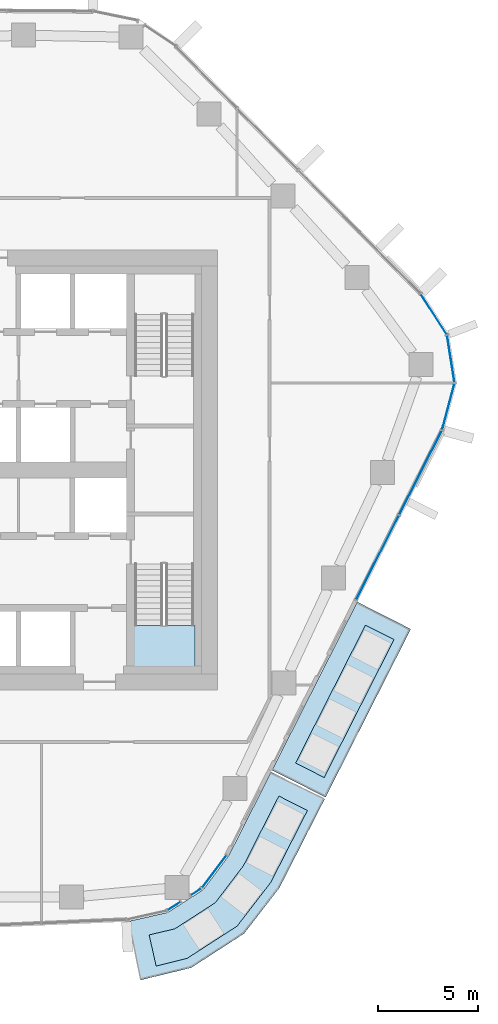
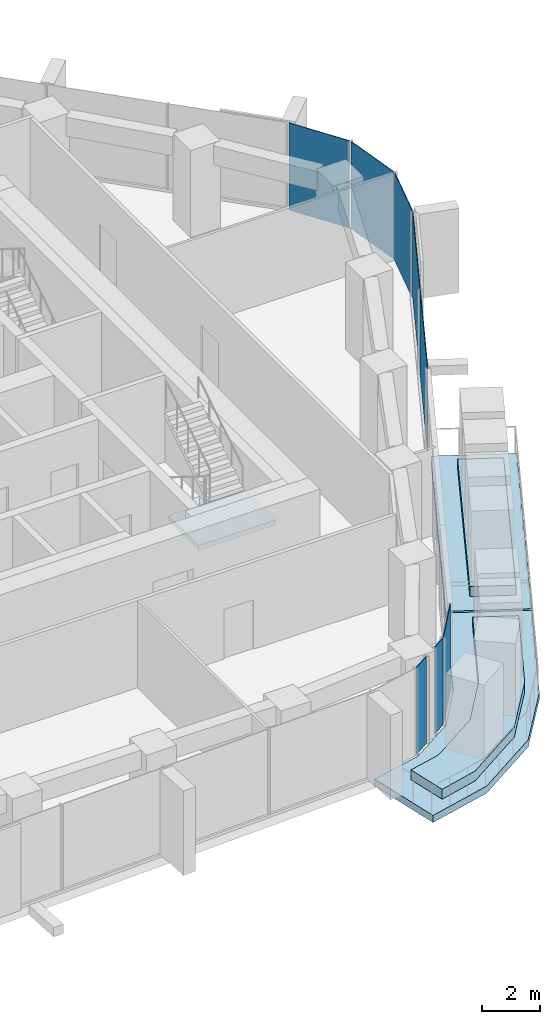
# One storey, part 9 of 17: 8 plates, 5 slabs, 5 elements without a shape of their own.
"""IFC4 building model written with IfcOpenShell, lengths in metres."""

import ifcopenshell
import ifcopenshell.guid

model = None  # the IFC model being written
_history = None  # IfcOwnerHistory: only IFC2X3 demands one
_inside = {}  # id of a spatial element -> (the spatial element, [elements in it])
_under = {}  # id of a project, library or spatial element -> (it, [spatial elements below it])
_declared = {}  # id of a project -> (the project, [libraries it declares])
_typed = {}  # id of a type object -> (the type object, [elements of that type])
_made_of = {}  # id of a material, layer set ... -> (it, [elements and type objects made of it])


def new_model(schema):
    """Start an empty IFC model of exactly this schema.

    Asked for "IFC4X3", IfcOpenShell would pick the latest addendum, in which some entities
    have other attributes; the version numbers below select the first issue.
    IFC2X3 requires an IfcOwnerHistory on every rooted entity: one is made here for all.
    """
    global model, _history
    if schema == "IFC4X3":
        model = ifcopenshell.file(schema_version=(4, 3, 0, 0))
    else:
        model = ifcopenshell.file(schema=schema)
    _inside.clear()
    _under.clear()
    _declared.clear()
    _typed.clear()
    _made_of.clear()
    _history = None
    if model.schema == "IFC2X3":
        org = make("IfcOrganization", Name="unknown")
        user = make(
            "IfcPersonAndOrganization",
            ThePerson=make("IfcPerson", FamilyName="unknown"),
            TheOrganization=org,
        )
        app = make(
            "IfcApplication",
            ApplicationDeveloper=org,
            Version="unknown",
            ApplicationFullName="unknown",
            ApplicationIdentifier="unknown",
        )
        _history = make(
            "IfcOwnerHistory",
            OwningUser=user,
            OwningApplication=app,
            ChangeAction="ADDED",
            CreationDate=0,
        )
    return model


def make(cls, **values):
    """One entity of the class cls with the attributes given. An attribute that is None is left unset."""
    return model.create_entity(
        cls, **{name: value for name, value in values.items() if value is not None}
    )


def rooted(cls, **values):
    """An entity with a GlobalId (a new one), such as an element, a storey or a relation."""
    return make(cls, GlobalId=ifcopenshell.guid.new(), OwnerHistory=_history, **values)


def si_unit(unit_type, name, prefix=None):
    """IfcSIUnit, for example si_unit("LENGTHUNIT", "METRE", prefix="MILLI")."""
    return make("IfcSIUnit", UnitType=unit_type, Prefix=prefix, Name=name)


def assignment(units):
    """IfcUnitAssignment: the units of a project."""
    return None if units is None else make("IfcUnitAssignment", Units=units)


def point(xyz):
    """IfcCartesianPoint."""
    return None if xyz is None else make("IfcCartesianPoint", Coordinates=xyz)


def direction(xyz):
    """IfcDirection."""
    return None if xyz is None else make("IfcDirection", DirectionRatios=xyz)


def frame(location, z_axis=None, x_axis=None):
    """IfcAxis2Placement3D, a coordinate frame: its origin and axes. An axis left out is left unset."""
    return make(
        "IfcAxis2Placement3D",
        Location=point(location),
        Axis=direction(z_axis),
        RefDirection=direction(x_axis),
    )


def frame_2d(location, x_axis=None):
    """IfcAxis2Placement2D, a coordinate frame in the plane: its origin and x axis."""
    return make(
        "IfcAxis2Placement2D", Location=point(location), RefDirection=direction(x_axis)
    )


def origin():
    """The frame at (0, 0, 0) with its axes left unset."""
    return frame((0.0, 0.0, 0.0))


def origin_2d():
    """The frame at (0, 0) in the plane with its x axis left unset."""
    return frame_2d((0.0, 0.0))


def place(relative_to, where):
    """IfcLocalPlacement: puts the frame where relative to a parent placement (None: the world)."""
    return make(
        "IfcLocalPlacement", PlacementRelTo=relative_to, RelativePlacement=where
    )


def context(
    kind, dimensions, precision=None, world=None, true_north=None, identifier=None
):
    """IfcGeometricRepresentationContext, for example the 3D "Model" context."""
    return make(
        "IfcGeometricRepresentationContext",
        ContextIdentifier=identifier,
        ContextType=kind,
        CoordinateSpaceDimension=dimensions,
        Precision=precision,
        WorldCoordinateSystem=world,
        TrueNorth=true_north,
    )


def subcontext(parent, identifier, kind, view, scale=None):
    """IfcGeometricRepresentationSubContext, for example "Body" below "Model"."""
    return make(
        "IfcGeometricRepresentationSubContext",
        ContextIdentifier=identifier,
        ContextType=kind,
        ParentContext=parent,
        TargetScale=scale,
        TargetView=view,
    )


def project(units=None, contexts=None):
    """IfcProject with its units and contexts."""
    return rooted(
        "IfcProject",
        Name="project",
        RepresentationContexts=contexts,
        UnitsInContext=assignment(units),
    )


def spatial(cls, under=None, at=None, **own):
    """A site, building, storey or space (cls), placed at a placement, below another one or the project."""
    s = rooted(cls, ObjectPlacement=at, **own)
    if under is not None:
        _under.setdefault(under.id(), (under, []))[1].append(s)
    return s


def polyline(points):
    """IfcPolyline through the points."""
    return make("IfcPolyline", Points=[point(p) for p in points])


def profile(cls, at=None, kind="AREA", **sizes):
    """A parametric profile (cls). Its sizes go by their IFC names, for example OverallWidth=200.0."""
    return make(cls, ProfileType=kind, Position=at, **sizes)


def rectangle(**sizes):
    """IfcRectangleProfileDef."""
    return profile("IfcRectangleProfileDef", **sizes)


def outline(outer, holes=None, kind="AREA"):
    """IfcArbitraryClosedProfileDef: a profile drawn as a closed curve; with holes, ...WithVoids."""
    if holes is None:
        return make("IfcArbitraryClosedProfileDef", ProfileType=kind, OuterCurve=outer)
    return make(
        "IfcArbitraryProfileDefWithVoids",
        ProfileType=kind,
        OuterCurve=outer,
        InnerCurves=holes,
    )


def extrude(swept, where, along, depth):
    """IfcExtrudedAreaSolid: the profile swept, set in the frame where, extruded along a direction by depth."""
    return make(
        "IfcExtrudedAreaSolid",
        SweptArea=swept,
        Position=where,
        ExtrudedDirection=direction(along),
        Depth=depth,
    )


def shape(context_of_items, identifier, shape_type, items):
    """IfcShapeRepresentation: the items that make up one representation, for example the "Body"."""
    return make(
        "IfcShapeRepresentation",
        ContextOfItems=context_of_items,
        RepresentationIdentifier=identifier,
        RepresentationType=shape_type,
        Items=items,
    )


def material(Name=None, Category=None):
    """IfcMaterial."""
    return make("IfcMaterial", Name=Name, Category=Category)


def layer(
    of_material, thickness, ventilated=None, Name=None, Category=None, Priority=None
):
    """IfcMaterialLayer: one layer of a wall or slab, of a material (None: an air gap)."""
    return make(
        "IfcMaterialLayer",
        Material=of_material,
        LayerThickness=thickness,
        IsVentilated=ventilated,
        Name=Name,
        Category=Category,
        Priority=Priority,
    )


def layer_set(layers, Name=None):
    """IfcMaterialLayerSet."""
    return make("IfcMaterialLayerSet", MaterialLayers=layers, LayerSetName=Name)


def made_of(thing, what):
    """Note that an element or type object is made of a material, layer set ...; save() writes the relation."""
    if what is not None:
        _made_of.setdefault(what.id(), (what, []))[1].append(thing)
    return thing


def type_object(cls, material=None, **own):
    """A type object (cls), such as IfcWallType, which elements share."""
    return made_of(rooted(cls, **own), material)


def element(
    cls,
    number,
    at=None,
    inside=None,
    cuts=None,
    type_object=None,
    material=None,
    context=None,
    identifier="Body",
    shape_type=None,
    held_by="IfcProductDefinitionShape",
    body=None,
    shapes=None,
    **own,
):
    """One element of the class cls, such as IfcWall. Its Tag is "e" and its number.

    at: its placement. inside: the storey or other place that contains it. cuts: it is an
    opening in that element (IfcRelVoidsElement). A single representation is given by context,
    identifier, shape_type and body (its items); several are given by shapes. held_by: the class
    of the entity that holds the representations. save() writes the other relations.
    """
    e = rooted(cls, Tag="e%d" % number, ObjectPlacement=at, **own)
    if body is not None:
        shapes = [shape(context, identifier, shape_type, body)]
    if shapes is not None:
        e.Representation = make(held_by, Representations=shapes)
    if inside is not None:
        _inside.setdefault(inside.id(), (inside, []))[1].append(e)
    if cuts is not None:
        rooted(
            "IfcRelVoidsElement", RelatingBuildingElement=cuts, RelatedOpeningElement=e
        )
    if type_object is not None:
        _typed.setdefault(type_object.id(), (type_object, []))[1].append(e)
    return made_of(e, material)


def aggregate(whole, parts):
    """IfcRelAggregates: a whole, such as a stair, and the parts it consists of."""
    return rooted("IfcRelAggregates", RelatingObject=whole, RelatedObjects=parts)


def save(model, path):
    """Write the relations noted so far, then the file.

    IfcRelAggregates (storeys below a building ...), IfcRelContainedInSpatialStructure (elements
    in a storey), IfcRelDefinesByType, IfcRelAssociatesMaterial and IfcRelDeclares: one each for
    every whole, place, type object, material and project.
    """
    for whole, parts in _under.values():
        aggregate(whole, parts)
    for where, things in _inside.values():
        rooted(
            "IfcRelContainedInSpatialStructure",
            RelatedElements=things,
            RelatingStructure=where,
        )
    for kind, things in _typed.values():
        rooted("IfcRelDefinesByType", RelatedObjects=things, RelatingType=kind)
    for what, things in _made_of.values():
        rooted("IfcRelAssociatesMaterial", RelatedObjects=things, RelatingMaterial=what)
    for by, libraries in _declared.values():
        rooted("IfcRelDeclares", RelatingContext=by, RelatedDefinitions=libraries)
    model.write(path)


model = new_model("IFC4")

# Units and contexts
model_context = context("Model", 3, precision=1e-05, world=origin(), true_north=direction((0.0, 1.0)))
body_context = subcontext(model_context, "Body", "Model", "MODEL_VIEW")
ifc_project = project(units=[si_unit("LENGTHUNIT", "METRE"), si_unit("AREAUNIT", "SQUARE_METRE"), si_unit("VOLUMEUNIT", "CUBIC_METRE"), si_unit("PLANEANGLEUNIT", "RADIAN"), si_unit("MASSUNIT", "GRAM", prefix="KILO")], contexts=[model_context])

# Site, building, storey
site_placement = place(None, origin())
site = spatial("IfcSite", under=ifc_project, at=site_placement, CompositionType="ELEMENT")
building_placement = place(site_placement, origin())
building = spatial("IfcBuilding", under=site, at=building_placement, Name="Dongbaek Canopy Tower", CompositionType="ELEMENT")
storey_placement = place(building_placement, frame((0.0, 0.0, 179.60009765625)))
storey = spatial("IfcBuildingStorey", under=building, at=storey_placement, Name="L39", CompositionType="ELEMENT", Elevation=179.60009765625)

# Slabs
ifc_material_1 = material(Name="Concrete C40/50", Category="concrete")
ifc_layer_1 = layer(ifc_material_1, 0.300048828125)
ifc_layer_set_1 = layer_set([ifc_layer_1], Name="Balcony slab 300")
slab_type_1 = type_object("IfcSlabType", Name="Balcony slab 300", PredefinedType="FLOOR", material=ifc_layer_set_1)
slab_1_placement = place(storey_placement, frame((0.0, 0.0, -0.300048828125)))
element("IfcSlab", 1, at=slab_1_placement, inside=storey, type_object=slab_type_1, Name="Balcony L39 1", PredefinedType="FLOOR", context=body_context, shape_type="SweptSolid", body=[
    extrude(outline(polyline([(16.719482421875, -15.018798828125), (20.982177734375, -6.60693359375), (23.658203125, -7.962890625), (19.395751953125, -16.374755859375), (16.719482421875, -15.018798828125)])), origin(), (0.0, 0.0, 1.0), 0.300048828125),
])
slab_2_placement = place(storey_placement, frame((0.0, 0.0, -0.300048828125)))
element("IfcSlab", 2, at=slab_2_placement, inside=storey, type_object=slab_type_1, Name="Balcony L39 2", PredefinedType="FLOOR", context=body_context, shape_type="SweptSolid", body=[
    extrude(outline(polyline([(9.501708984375, -22.585205078125), (11.50732421875, -22.13671875), (13.27685546875, -20.995849609375), (14.543212890625, -19.31396484375), (16.67431640625, -15.10791015625), (19.350341796875, -16.464111328125), (17.08935546875, -20.900390625), (15.319580078125, -23.192626953125), (12.66552734375, -24.904052734375), (10.156494140625, -25.512939453125), (9.501708984375, -22.585205078125)])), origin(), (0.0, 0.0, 1.0), 0.300048828125),
])

# Curtain wall, plates
ifc_material_2 = material(Name="Aluminium 6063-T6 pale anodised", Category="aluminium")
ifc_layer_2 = layer(ifc_material_2, 0.199951171875)
ifc_layer_set_2 = layer_set([ifc_layer_2], Name="CW-1 unitised tower curtain wall")
curtain_wall_type = type_object("IfcCurtainWallType", Name="CW-1 unitised tower curtain wall", PredefinedType="NOTDEFINED", material=ifc_layer_set_2)
curtain_wall_1_placement = place(storey_placement, origin())
curtain_wall_1 = element("IfcCurtainWall", 3, at=curtain_wall_1_placement, inside=storey, type_object=curtain_wall_type, Name="CW-1 curtain wall K0.1", PredefinedType="NOTDEFINED")
ifc_material_3 = material(Name="Clear laminated glass", Category="glass")
ifc_layer_3 = layer(ifc_material_3, 0.028076171875)
ifc_layer_set_3 = layer_set([ifc_layer_3], Name="CW-1 glazed panel 28")
plate_type = type_object("IfcPlateType", Name="CW-1 glazed panel 28", PredefinedType="CURTAIN_PANEL", material=ifc_layer_set_3)
plate_1_placement = place(storey_placement, frame((25.5341796875, 3.157470703125, 0.0), z_axis=(0.0, 0.0, 1.0), x_axis=(0.257917045436, 0.966167065095, 0.0)))
plate_1 = element("IfcPlate", 4, at=plate_1_placement, type_object=plate_type, Name="CW-1 panel K0.1.1.1", PredefinedType="CURTAIN_PANEL", context=body_context, shape_type="SweptSolid", body=[
    extrude(rectangle(XDim=2.3642578125, YDim=0.028076171875, at=origin_2d()), origin(), (0.0, 0.0, 1.0), 3.699951171875),
])
plate_2_placement = place(storey_placement, frame((25.661376953125, 5.544189453125, 0.0), z_axis=(0.0, 0.0, 1.0), x_axis=(-0.15481117867, 0.987944076838, 0.0)))
plate_2 = element("IfcPlate", 5, at=plate_2_placement, type_object=plate_type, Name="CW-1 panel K0.1.2.1", PredefinedType="CURTAIN_PANEL", context=body_context, shape_type="SweptSolid", body=[
    extrude(rectangle(XDim=2.353515625, YDim=0.028076171875, at=origin_2d()), origin(), (0.0, 0.0, 1.0), 3.699951171875),
])
plate_3_placement = place(storey_placement, frame((24.810302734375, 7.777587890625, 0.0), z_axis=(0.0, 0.0, 1.0), x_axis=(-0.541094739105, 0.840961641998, 0.0)))
plate_3 = element("IfcPlate", 6, at=plate_3_placement, type_object=plate_type, Name="CW-1 panel K0.1.3.1", PredefinedType="CURTAIN_PANEL", context=body_context, shape_type="SweptSolid", body=[
    extrude(rectangle(XDim=2.3642578125, YDim=0.028076171875, at=origin_2d()), origin(), (0.0, 0.0, 1.0), 3.699951171875),
])
aggregate(curtain_wall_1, [plate_1, plate_2, plate_3])

# Curtain wall, plate
curtain_wall_2_placement = place(storey_placement, origin())
curtain_wall_2 = element("IfcCurtainWall", 7, at=curtain_wall_2_placement, inside=storey, type_object=curtain_wall_type, Name="CW-1 curtain wall K5.1a", PredefinedType="NOTDEFINED")
plate_4_placement = place(storey_placement, frame((11.816162109375, -21.818603515625, 0.0), z_axis=(0.0, 0.0, 1.0), x_axis=(0.8404317739, 0.541917367704, 0.0)))
plate_4 = element("IfcPlate", 8, at=plate_4_placement, type_object=plate_type, Name="CW-1 panel K5.1a.2.1", PredefinedType="CURTAIN_PANEL", context=body_context, shape_type="SweptSolid", body=[
    extrude(rectangle(XDim=0.744140625, YDim=0.028076171875, at=origin_2d()), origin(), (0.0, 0.0, 1.0), 3.699951171875),
])
aggregate(curtain_wall_2, [plate_4])

# Curtain wall, plates
curtain_wall_3_placement = place(storey_placement, origin())
curtain_wall_3 = element("IfcCurtainWall", 9, at=curtain_wall_3_placement, inside=storey, type_object=curtain_wall_type, Name="CW-1 curtain wall K5.1b", PredefinedType="NOTDEFINED")
plate_5_placement = place(storey_placement, frame((12.925048828125, -21.103515625, 0.0), z_axis=(0.0, 0.0, 1.0), x_axis=(0.8404317739, 0.541917367704, 0.0)))
plate_5 = element("IfcPlate", 10, at=plate_5_placement, type_object=plate_type, Name="CW-1 panel K5.1b.1.1", PredefinedType="CURTAIN_PANEL", context=body_context, shape_type="SweptSolid", body=[
    extrude(rectangle(XDim=0.58837890625, YDim=0.028076171875, at=origin_2d()), origin(), (0.0, 0.0, 1.0), 3.699951171875),
])
plate_6_placement = place(storey_placement, frame((13.832763671875, -20.091064453125, 0.0), z_axis=(0.0, 0.0, 1.0), x_axis=(0.601494827227, 0.798876694377, 0.0)))
plate_6 = element("IfcPlate", 11, at=plate_6_placement, type_object=plate_type, Name="CW-1 panel K5.1b.2.1", PredefinedType="CURTAIN_PANEL", context=body_context, shape_type="SweptSolid", body=[
    extrude(rectangle(XDim=1.99462890625, YDim=0.028076171875, at=origin_2d()), origin(), (0.0, 0.0, 1.0), 3.699951171875),
])
aggregate(curtain_wall_3, [plate_5, plate_6])

curtain_wall_4_placement = place(storey_placement, origin())
curtain_wall_4 = element("IfcCurtainWall", 12, at=curtain_wall_4_placement, inside=storey, type_object=curtain_wall_type, Name="CW-1 curtain wall F5.1", PredefinedType="NOTDEFINED")
plate_7_placement = place(storey_placement, frame((21.992431640625, -4.391845703125, 0.119873046875), z_axis=(0.0, 0.0, 1.0), x_axis=(0.452009379459, 0.892013184253, 0.0)))
plate_7 = element("IfcPlate", 13, at=plate_7_placement, type_object=plate_type, Name="CW-1 panel F5.1.1.1", PredefinedType="CURTAIN_PANEL", context=body_context, shape_type="SweptSolid", body=[
    extrude(rectangle(XDim=4.68115234375, YDim=0.028076171875, at=origin_2d()), origin(), (0.0, 0.0, 1.0), 3.580078125),
])
plate_8_placement = place(storey_placement, frame((24.14404296875, -0.14599609375, 0.119873046875), z_axis=(0.0, 0.0, 1.0), x_axis=(0.452009379459, 0.892013184253, 0.0)))
plate_8 = element("IfcPlate", 14, at=plate_8_placement, type_object=plate_type, Name="CW-1 panel F5.1.2.1", PredefinedType="CURTAIN_PANEL", context=body_context, shape_type="SweptSolid", body=[
    extrude(rectangle(XDim=4.670654296875, YDim=0.028076171875, at=origin_2d()), origin(), (0.0, 0.0, 1.0), 3.580078125),
])
aggregate(curtain_wall_4, [plate_7, plate_8])

# Stair, slab
ifc_material_4 = material(Name="Concrete C40/50", Category="concrete")
stair_type = type_object("IfcStairType", Name="Core exit stair", PredefinedType="HALF_TURN_STAIR", material=ifc_material_4)
stair_placement = place(storey_placement, origin())
stair = element("IfcStair", 15, at=stair_placement, inside=storey, type_object=stair_type, Name="L39 exit stair B", PredefinedType="HALF_TURN_STAIR")
ifc_material_5 = material(Name="Concrete C40/50", Category="concrete")
ifc_layer_4 = layer(ifc_material_5, 0.199951171875)
ifc_layer_set_4 = layer_set([ifc_layer_4], Name="Core stair landing 200")
slab_type_2 = type_object("IfcSlabType", Name="Core stair landing 200", PredefinedType="LANDING", material=ifc_layer_set_4)
slab_3_placement = place(storey_placement, frame((0.0, 0.0, 1.89990234375)))
slab_3 = element("IfcSlab", 16, at=slab_3_placement, type_object=slab_type_2, Name="ST-B landing 1", PredefinedType="LANDING", context=body_context, shape_type="SweptSolid", body=[
    extrude(outline(polyline([(9.77490234375, -7.780029296875), (9.77490234375, -9.875), (12.875, -9.875), (12.875, -7.780029296875), (9.77490234375, -7.780029296875)])), origin(), (0.0, 0.0, 1.0), 0.199951171875),
])
aggregate(stair, [slab_3])

# Slabs
ifc_material_6 = material(Name="Reinforced concrete C40/50 planter box with soil", Category="concrete")
ifc_layer_5 = layer(ifc_material_6, 0.419921875)
ifc_layer_set_5 = layer_set([ifc_layer_5], Name="Terrace planter box 1600 x 420")
slab_type_3 = type_object("IfcSlabType", Name="Terrace planter box 1600 x 420", PredefinedType="USERDEFINED", material=ifc_layer_set_5)
slab_4_placement = place(storey_placement, origin())
element("IfcSlab", 17, at=slab_4_placement, inside=storey, type_object=slab_type_3, Name="Balcony planter L39 1", ObjectType="PLANTER", PredefinedType="USERDEFINED", context=body_context, shape_type="SweptSolid", body=[
    extrude(outline(polyline([(17.897705078125, -14.662841796875), (21.391845703125, -7.767333984375), (22.819091796875, -8.49072265625), (19.324951171875, -15.385986328125), (17.897705078125, -14.662841796875)])), origin(), (0.0, 0.0, 1.0), 0.419921875),
])
slab_5_placement = place(storey_placement, origin())
element("IfcSlab", 18, at=slab_5_placement, inside=storey, type_object=slab_type_3, Name="Balcony planter L39 2", ObjectType="PLANTER", PredefinedType="USERDEFINED", context=body_context, shape_type="SweptSolid", body=[
    extrude(outline(polyline([(10.57421875, -23.25732421875), (11.85107421875, -22.957763671875), (13.8828125, -21.6474609375), (15.298583984375, -19.78466796875), (17.0615234375, -16.31298828125), (18.48876953125, -17.036376953125), (16.656494140625, -20.630615234375), (14.972412109375, -22.8193359375), (12.46875, -24.43359375), (10.92333984375, -24.81884765625), (10.57421875, -23.25732421875)])), origin(), (0.0, 0.0, 1.0), 0.419921875),
])

save(model, "model.ifc")
